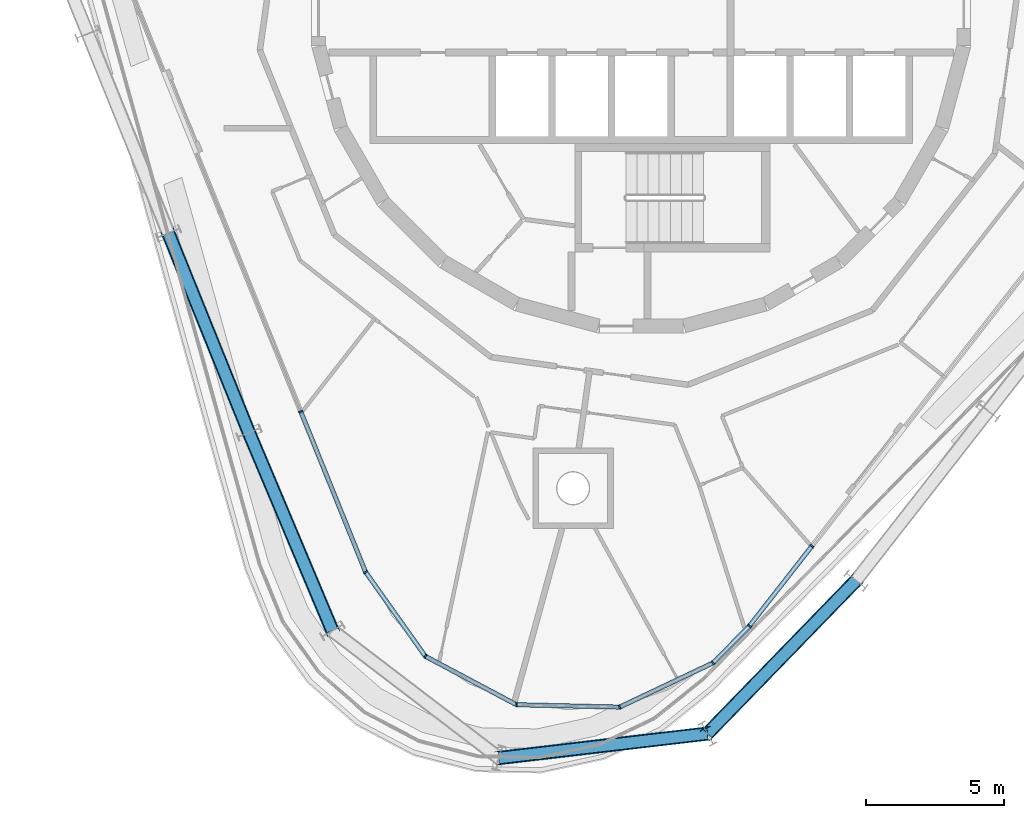
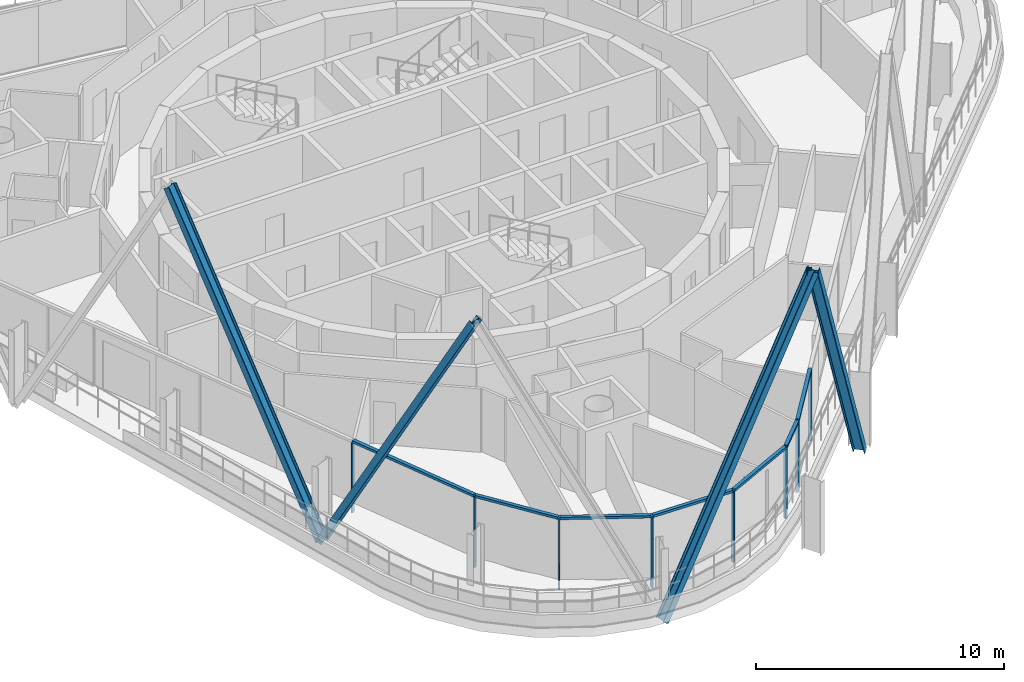
# One storey, part 2 of 17: 19 members, 2 elements without a shape of their own.
"""IFC4 building model written with IfcOpenShell, lengths in metres."""

from ifc_helpers import new_model, si_unit, direction, frame, origin, origin_2d, place, context, subcontext, project, spatial, rectangle, i_section, extrude, material, layer, layer_set, material_profile, profile_set, type_object, element, aggregate, save


model = new_model("IFC4")

# Units and contexts
model_context = context("Model", 3, precision=1e-05, world=origin(), true_north=direction((0.0, 1.0)))
body_context = subcontext(model_context, "Body", "Model", "MODEL_VIEW")
ifc_project = project(units=[si_unit("LENGTHUNIT", "METRE"), si_unit("AREAUNIT", "SQUARE_METRE"), si_unit("VOLUMEUNIT", "CUBIC_METRE"), si_unit("PLANEANGLEUNIT", "RADIAN"), si_unit("MASSUNIT", "GRAM", prefix="KILO")], contexts=[model_context])

# Site, building, storey
site_placement = place(None, origin())
site = spatial("IfcSite", under=ifc_project, at=site_placement, CompositionType="ELEMENT")
building_placement = place(site_placement, origin())
building = spatial("IfcBuilding", under=site, at=building_placement, Name="Spindle Arch Residences", CompositionType="ELEMENT")
storey_placement = place(building_placement, frame((0.0, 0.0, 333.0)))
storey = spatial("IfcBuildingStorey", under=building, at=storey_placement, Name="L85", CompositionType="ELEMENT", Elevation=333.0)

# Curtain wall, members
ifc_material_1 = material(Name="Aluminium bronze unitised frame with tinted glass", Category="aluminium")
ifc_layer_1 = layer(ifc_material_1, 0.159912109375)
ifc_layer_set_1 = layer_set([ifc_layer_1], Name="CW-D corner wall on the fillet arcs")
curtain_wall_type_1 = type_object("IfcCurtainWallType", Name="CW-D corner wall on the fillet arcs", PredefinedType="NOTDEFINED", material=ifc_layer_set_1)
curtain_wall_1_placement = place(storey_placement, origin())
curtain_wall_1 = element("IfcCurtainWall", 1, at=curtain_wall_1_placement, inside=storey, type_object=curtain_wall_type_1, Name="CW-D L85 run 5", PredefinedType="NOTDEFINED")
ifc_material_2 = material(Name="Aluminium bronze anodised mullion", Category="aluminium")
ifc_material_profile_1 = material_profile(ifc_material_2, rectangle(XDim=0.159912109375, YDim=0.06005859375, at=origin_2d()), Name="MU 60x160")
ifc_profile_set_1 = profile_set([ifc_material_profile_1], Name="Aluminium bronze anodised mullion")
member_type_1 = type_object("IfcMemberType", Name="Bronze mullion 60x160", PredefinedType="MULLION", material=ifc_profile_set_1)
member_1_placement = place(storey_placement, frame((-12.292724609375, -14.73779296875, -0.449951171875), z_axis=(0.0, 0.0, 1.0), x_axis=(0.927183854567, 0.374606593416, 0.0)))
member_1 = element("IfcMember", 2, at=member_1_placement, type_object=member_type_1, Name="CW-D mullion 00", PredefinedType="MULLION", context=body_context, shape_type="SweptSolid", body=[
    extrude(rectangle(XDim=0.159912109375, YDim=0.06005859375, at=origin_2d()), origin(), (0.0, 0.0, 1.0), 3.449951171875),
])
member_2_placement = place(storey_placement, frame((-9.951904296875, -20.53173828125, -0.449951171875), z_axis=(0.0, 0.0, 1.0), x_axis=(0.815801266332, 0.578332338584, 0.0)))
member_2 = element("IfcMember", 3, at=member_2_placement, type_object=member_type_1, Name="CW-D mullion 01", PredefinedType="MULLION", context=body_context, shape_type="SweptSolid", body=[
    extrude(rectangle(XDim=0.159912109375, YDim=0.06005859375, at=origin_2d()), origin(), (0.0, 0.0, 1.0), 3.449951171875),
])
member_3_placement = place(storey_placement, frame((-7.79638671875, -23.572021484375, -0.449951171875), z_axis=(0.0, 0.0, 1.0), x_axis=(0.469471563633, 0.882947592408, 0.0)))
member_3 = element("IfcMember", 4, at=member_3_placement, type_object=member_type_1, Name="CW-D mullion 02", PredefinedType="MULLION", context=body_context, shape_type="SweptSolid", body=[
    extrude(rectangle(XDim=0.159912109375, YDim=0.06005859375, at=origin_2d()), origin(), (0.0, 0.0, 1.0), 3.449951171875),
])
member_4_placement = place(storey_placement, frame((-4.505859375, -25.321533203125, -0.449951171875), z_axis=(0.0, 0.0, 1.0), x_axis=(0.023268959422, 0.999729241109, 0.0)))
member_4 = element("IfcMember", 5, at=member_4_placement, type_object=member_type_1, Name="CW-D mullion 03", PredefinedType="MULLION", context=body_context, shape_type="SweptSolid", body=[
    extrude(rectangle(XDim=0.159912109375, YDim=0.06005859375, at=origin_2d()), origin(), (0.0, 0.0, 1.0), 3.449951171875),
])
member_5_placement = place(storey_placement, frame((-0.7802734375, -25.408203125, -0.449951171875), z_axis=(0.0, 0.0, 1.0), x_axis=(-0.427883767902, 0.903833768547, 0.0)))
member_5 = element("IfcMember", 6, at=member_5_placement, type_object=member_type_1, Name="CW-D mullion 04", PredefinedType="MULLION", context=body_context, shape_type="SweptSolid", body=[
    extrude(rectangle(XDim=0.159912109375, YDim=0.06005859375, at=origin_2d()), origin(), (0.0, 0.0, 1.0), 3.449951171875),
])
member_6_placement = place(storey_placement, frame((2.588134765625, -23.813720703125, -0.449951171875), z_axis=(0.0, 0.0, 1.0), x_axis=(-0.711208575748, 0.702981053644, 0.0)))
member_6 = element("IfcMember", 7, at=member_6_placement, type_object=member_type_1, Name="CW-D mullion 05", PredefinedType="MULLION", context=body_context, shape_type="SweptSolid", body=[
    extrude(rectangle(XDim=0.159912109375, YDim=0.06005859375, at=origin_2d()), origin(), (0.0, 0.0, 1.0), 3.449951171875),
])
member_7_placement = place(storey_placement, frame((3.906982421875, -22.479248046875, -0.449951171875), z_axis=(0.0, 0.0, 1.0), x_axis=(-0.788010753607, 0.615661475326, 0.0)))
member_7 = element("IfcMember", 8, at=member_7_placement, type_object=member_type_1, Name="CW-D mullion 06", PredefinedType="MULLION", context=body_context, shape_type="SweptSolid", body=[
    extrude(rectangle(XDim=0.159912109375, YDim=0.06005859375, at=origin_2d()), origin(), (0.0, 0.0, 1.0), 3.449951171875),
])

# Curtain wall, member
ifc_material_3 = material(Name="Aluminium bronze unitised frame with tinted glass", Category="aluminium")
ifc_layer_2 = layer(ifc_material_3, 0.159912109375)
ifc_layer_set_2 = layer_set([ifc_layer_2], Name="CW-C typical residential unitised wall")
curtain_wall_type_2 = type_object("IfcCurtainWallType", Name="CW-C typical residential unitised wall", PredefinedType="NOTDEFINED", material=ifc_layer_set_2)
curtain_wall_2_placement = place(storey_placement, origin())
curtain_wall_2 = element("IfcCurtainWall", 9, at=curtain_wall_2_placement, inside=storey, type_object=curtain_wall_type_2, Name="CW-C L85 run 6", PredefinedType="NOTDEFINED")
member_8_placement = place(storey_placement, frame((6.160400390625, -19.594970703125, -0.449951171875), z_axis=(0.0, 0.0, 1.0), x_axis=(-0.788010753607, 0.615661475326, 0.0)))
member_8 = element("IfcMember", 10, at=member_8_placement, type_object=member_type_1, Name="CW-C mullion 18", PredefinedType="MULLION", context=body_context, shape_type="SweptSolid", body=[
    extrude(rectangle(XDim=0.159912109375, YDim=0.06005859375, at=origin_2d()), origin(), (0.0, 0.0, 1.0), 3.449951171875),
])
aggregate(curtain_wall_2, [member_8])

# Member
ifc_material_4 = material(Name="Aluminium bronze anodised transom", Category="aluminium")
ifc_material_profile_2 = material_profile(ifc_material_4, rectangle(XDim=0.159912109375, YDim=0.1201171875, at=origin_2d()), Name="TR 120x160")
ifc_profile_set_2 = profile_set([ifc_material_profile_2], Name="Aluminium bronze anodised transom")
member_type_2 = type_object("IfcMemberType", Name="Bronze transom 120x160", PredefinedType="USERDEFINED", material=ifc_profile_set_2)
member_9_placement = place(storey_placement, frame((-12.28125, -14.765625, 3.06005859375), z_axis=(0.374564798487, -0.927200739719, 0.0), x_axis=(0.927200739719, 0.374564798487, 0.0)))
member_9 = element("IfcMember", 11, at=member_9_placement, type_object=member_type_2, Name="CW-D transom 00", ObjectType="TRANSOM", PredefinedType="USERDEFINED", context=body_context, shape_type="SweptSolid", body=[
    extrude(rectangle(XDim=0.159912109375, YDim=0.1201171875, at=origin_2d()), origin(), (0.0, 0.0, 1.0), 6.188720703125),
])

member_10_placement = place(storey_placement, frame((-9.934326171875, -20.55615234375, 3.06005859375), z_axis=(0.578349828601, -0.815788867145, 0.0), x_axis=(0.815788867145, 0.578349828601, 0.0)))
member_10 = element("IfcMember", 12, at=member_10_placement, type_object=member_type_2, Name="CW-D transom 01", ObjectType="TRANSOM", PredefinedType="USERDEFINED", context=body_context, shape_type="SweptSolid", body=[
    extrude(rectangle(XDim=0.159912109375, YDim=0.1201171875, at=origin_2d()), origin(), (0.0, 0.0, 1.0), 3.666748046875),
])

member_11_placement = place(storey_placement, frame((-7.77001953125, -23.5859375, 3.06005859375), z_axis=(0.882947559001, -0.469471626463, 0.0), x_axis=(0.469471626463, 0.882947559001, 0.0)))
member_11 = element("IfcMember", 13, at=member_11_placement, type_object=member_type_2, Name="CW-D transom 02", ObjectType="TRANSOM", PredefinedType="USERDEFINED", context=body_context, shape_type="SweptSolid", body=[
    extrude(rectangle(XDim=0.159912109375, YDim=0.1201171875, at=origin_2d()), origin(), (0.0, 0.0, 1.0), 3.666748046875),
])

member_12_placement = place(storey_placement, frame((-4.47607421875, -25.322265625, 3.06005859375), z_axis=(0.999729981043, -0.023237147079, 0.0), x_axis=(0.023237147079, 0.999729981043, 0.0)))
member_12 = element("IfcMember", 14, at=member_12_placement, type_object=member_type_2, Name="CW-D transom 03", ObjectType="TRANSOM", PredefinedType="USERDEFINED", context=body_context, shape_type="SweptSolid", body=[
    extrude(rectangle(XDim=0.159912109375, YDim=0.1201171875, at=origin_2d()), origin(), (0.0, 0.0, 1.0), 3.666748046875),
])

member_13_placement = place(storey_placement, frame((-0.753173828125, -25.3955078125, 3.06005859375), z_axis=(0.903821874806, 0.427908890562, 0.0), x_axis=(-0.427908890562, 0.903821874806, 0.0)))
member_13 = element("IfcMember", 15, at=member_13_placement, type_object=member_type_2, Name="CW-D transom 04", ObjectType="TRANSOM", PredefinedType="USERDEFINED", context=body_context, shape_type="SweptSolid", body=[
    extrude(rectangle(XDim=0.159912109375, YDim=0.1201171875, at=origin_2d()), origin(), (0.0, 0.0, 1.0), 3.6669921875),
])

member_14_placement = place(storey_placement, frame((2.609130859375, -23.792236328125, 3.06005859375), z_axis=(0.703062417903, 0.711128143539, 0.0), x_axis=(-0.711128143539, 0.703062417903, 0.0)))
member_14 = element("IfcMember", 16, at=member_14_placement, type_object=member_type_2, Name="CW-D transom 05", ObjectType="TRANSOM", PredefinedType="USERDEFINED", context=body_context, shape_type="SweptSolid", body=[
    extrude(rectangle(XDim=0.159912109375, YDim=0.1201171875, at=origin_2d()), origin(), (0.0, 0.0, 1.0), 1.816162109375),
])

member_15_placement = place(storey_placement, frame((3.925537109375, -22.455810546875, 3.06005859375), z_axis=(0.615647989673, 0.788021289568, 0.0), x_axis=(-0.788021289568, 0.615647989673, 0.0)))
member_15 = element("IfcMember", 17, at=member_15_placement, type_object=member_type_2, Name="CW-D transom 06", ObjectType="TRANSOM", PredefinedType="USERDEFINED", context=body_context, shape_type="SweptSolid", body=[
    extrude(rectangle(XDim=0.159912109375, YDim=0.1201171875, at=origin_2d()), origin(), (0.0, 0.0, 1.0), 3.600341796875),
])

aggregate(curtain_wall_1, [member_1, member_9, member_2, member_10, member_3, member_11, member_4, member_12, member_5, member_13, member_6, member_14, member_7, member_15])

# Members
ifc_material_5 = material(Name="Steel S460ML, intumescent coating R 240", Category="steel")
ifc_material_profile_3 = material_profile(ifc_material_5, i_section(OverallWidth=0.300048828125, OverallDepth=0.5, WebThickness=0.014404296875, FlangeThickness=0.028076171875, FilletRadius=0.027099609375, at=origin_2d()), Name="HEB 500")
ifc_profile_set_3 = profile_set([ifc_material_profile_3], Name="Steel S460ML, intumescent coating R 240")
member_type_3 = type_object("IfcMemberType", Name="Diagrid diagonal HEB 500", PredefinedType="BRACE", material=ifc_profile_set_3)
member_16_placement = place(storey_placement, frame((-14.16552734375, -15.49462890625, -0.699951171875), z_axis=(-0.181021881447, 0.448027637432, 0.87550117906), x_axis=(0.327979364252, -0.811746174096, 0.483215982212)))
element("IfcMember", 18, at=member_16_placement, inside=storey, type_object=member_type_3, Name="Diagrid diagonal 9.1.14", PredefinedType="BRACE", context=body_context, shape_type="SweptSolid", body=[
    extrude(i_section(OverallWidth=0.300048828125, OverallDepth=0.5, WebThickness=0.014404296875, FlangeThickness=0.028076171875, FilletRadius=0.027099609375, at=origin_2d()), origin(), (0.0, 0.0, 1.0), 16.07080078125),
])
member_17_placement = place(storey_placement, frame((-14.16552734375, -15.49462890625, -0.699951171875), z_axis=(0.187460540368, -0.445116225532, 0.875631253196), x_axis=(-0.339861335166, 0.806984736183, 0.482980236062)))
element("IfcMember", 19, at=member_17_placement, inside=storey, type_object=member_type_3, Name="Diagrid diagonal 9.1.15", PredefinedType="BRACE", context=body_context, shape_type="SweptSolid", body=[
    extrude(i_section(OverallWidth=0.300048828125, OverallDepth=0.5, WebThickness=0.014404296875, FlangeThickness=0.028076171875, FilletRadius=0.027099609375, at=origin_2d()), origin(), (0.0, 0.0, 1.0), 16.068603515625),
])
member_18_placement = place(storey_placement, frame((-5.13232421875, -27.244873046875, -0.699951171875), z_axis=(0.470851771069, 0.055184029238, 0.880484714574), x_axis=(-0.874499164561, -0.102491676641, 0.474074537812)))
element("IfcMember", 20, at=member_18_placement, inside=storey, type_object=member_type_3, Name="Diagrid diagonal 9.1.17", PredefinedType="BRACE", context=body_context, shape_type="SweptSolid", body=[
    extrude(i_section(OverallWidth=0.300048828125, OverallDepth=0.5, WebThickness=0.014404296875, FlangeThickness=0.028076171875, FilletRadius=0.027099609375, at=origin_2d()), origin(), (0.0, 0.0, 1.0), 15.97998046875),
])
member_19_placement = place(storey_placement, frame((7.752197265625, -20.838623046875, -0.699951171875), z_axis=(-0.334226946795, -0.344456519952, 0.87729245631), x_axis=(0.610919879967, 0.629618101836, 0.479956191857)))
element("IfcMember", 21, at=member_19_placement, inside=storey, type_object=member_type_3, Name="Diagrid diagonal 9.1.18", PredefinedType="BRACE", context=body_context, shape_type="SweptSolid", body=[
    extrude(i_section(OverallWidth=0.300048828125, OverallDepth=0.5, WebThickness=0.014404296875, FlangeThickness=0.028076171875, FilletRadius=0.027099609375, at=origin_2d()), origin(), (0.0, 0.0, 1.0), 16.0380859375),
])

save(model, "model.ifc")
